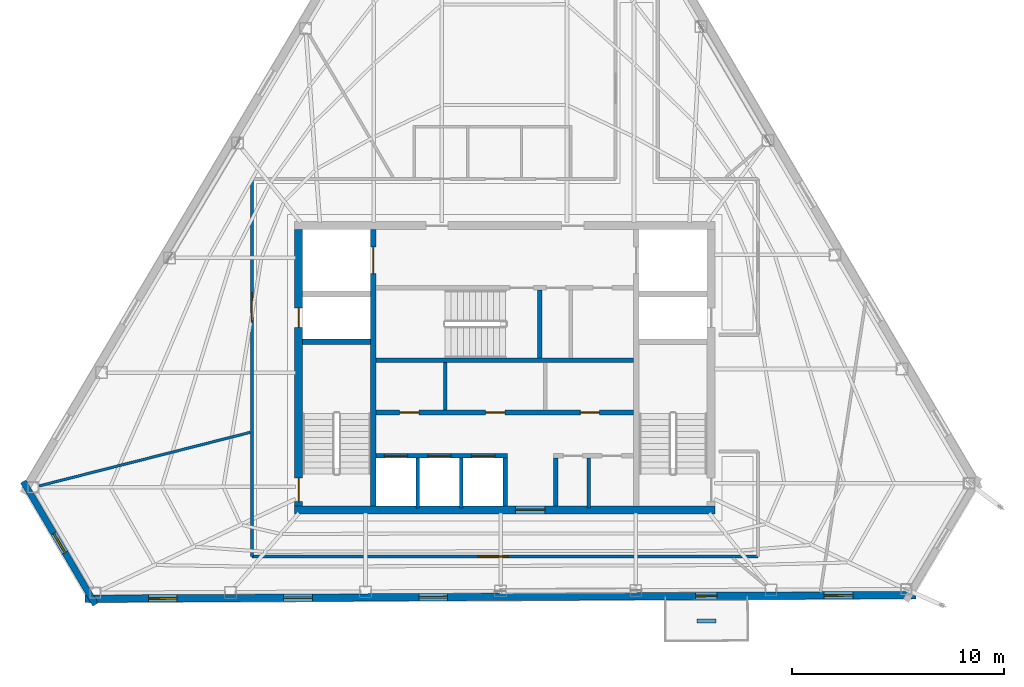
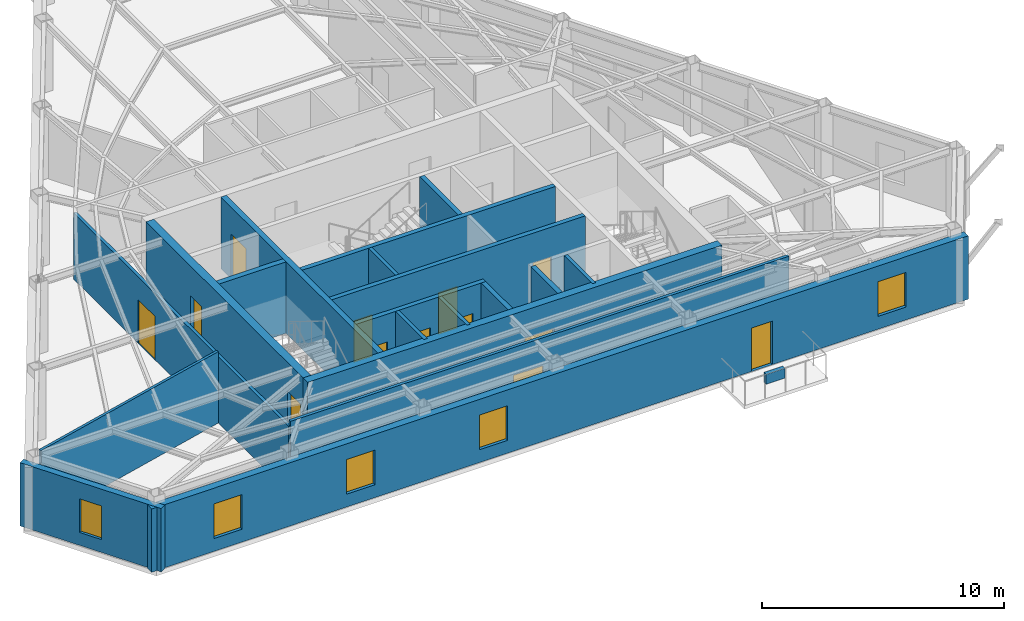
# One storey, part 6 of 9: 20 walls, 13 doors, 5 windows, 18 openings.
"""IFC4 building model written with IfcOpenShell, lengths in metres."""

from ifc_helpers import new_model, si_unit, direction, frame, frame_2d, origin, place, context, subcontext, project, spatial, rectangle, extrude, material, layer, layer_set, type_object, element, fill, save


model = new_model("IFC4")

# Units and contexts
model_context = context("Model", 3, precision=1e-05, world=origin(), true_north=direction((0.0, 1.0)))
body_context = subcontext(model_context, "Body", "Model", "MODEL_VIEW")
ifc_project = project(units=[si_unit("LENGTHUNIT", "METRE"), si_unit("AREAUNIT", "SQUARE_METRE"), si_unit("VOLUMEUNIT", "CUBIC_METRE"), si_unit("PLANEANGLEUNIT", "RADIAN"), si_unit("MASSUNIT", "GRAM", prefix="KILO")], contexts=[model_context])

# Site, building, storey
site_placement = place(None, origin())
site = spatial("IfcSite", under=ifc_project, at=site_placement, CompositionType="ELEMENT")
building_placement = place(site_placement, origin())
building = spatial("IfcBuilding", under=site, at=building_placement, Name="Kavelnor Concourse Tower", CompositionType="ELEMENT")
storey_placement = place(building_placement, frame((0.0, 0.0, 278.0)))
storey = spatial("IfcBuildingStorey", under=building, at=storey_placement, Name="L70", CompositionType="ELEMENT", Elevation=278.0)

# Wall, opening, door
ifc_material_1 = material(Name="Concrete C50/60", Category="concrete")
ifc_layer_1 = layer(ifc_material_1, 0.3798828125, Name="Concrete C50/60")
ifc_layer_set_1 = layer_set([ifc_layer_1], Name="Concrete C50/60")
wall_type_1 = type_object("IfcWallType", Name="WL-CORE-Z4-380", PredefinedType="SOLIDWALL", material=ifc_layer_set_1)
wall_1_placement = place(storey_placement, frame((28.10009765625, 9.409912109375, 0.0), z_axis=(0.0, 0.0, 1.0), x_axis=(1.0, 0.0, 0.0)))
wall_1 = element("IfcWall", 1, at=wall_1_placement, inside=storey, type_object=wall_type_1, Name="L70 Central Core South Shear Wall", PredefinedType="SOLIDWALL", context=body_context, shape_type="SweptSolid", body=[
    extrude(rectangle(XDim=19.7998046875, YDim=0.3798828125, at=frame_2d((9.89990234375, 0.0))), origin(), (0.0, 0.0, 1.0), 3.610107421875),
])
opening_1_placement = place(wall_1_placement, frame((10.39990234375, 0.0, 0.0)))
opening_1 = element("IfcOpeningElement", 2, at=opening_1_placement, cuts=wall_1, Name="Opening SD-140", PredefinedType="OPENING", context=body_context, shape_type="SweptSolid", body=[
    extrude(rectangle(XDim=1.39990234375, YDim=2.199951171875, at=frame_2d((0.699951171875, 1.10009765625))), frame((0.0, 0.199951171875, 0.0), z_axis=(0.0, -1.0, 0.0), x_axis=(1.0, 0.0, 0.0)), (0.0, 0.0, 1.0), 0.39990234375),
])
ifc_material_2 = material(Name="Solid-core hardwood timber", Category="wood")
door_type_1 = type_object("IfcDoorType", Name="DR-SUITE-ENTRY-1400", OperationType="NOTDEFINED", PredefinedType="DOOR", material=ifc_material_2)
door_1_placement = place(opening_1_placement, origin())
door_1 = element("IfcDoor", 3, at=door_1_placement, inside=storey, type_object=door_type_1, Name="L70 Passenger Lift Lobby Entry Door", OperationType="SINGLE_SWING_LEFT", OverallHeight=2.199951171875, OverallWidth=1.39990234375, PredefinedType="DOOR", context=body_context, shape_type="SweptSolid", body=[
    extrude(rectangle(XDim=1.39990234375, YDim=2.199951171875, at=frame_2d((0.699951171875, 1.10009765625))), frame((0.0, 0.02490234375, 0.0), z_axis=(0.0, -1.0, 0.0), x_axis=(1.0, 0.0, 0.0)), (0.0, 0.0, 1.0), 0.050048828125),
])
fill(opening_1, door_1)

# Wall, openings, doors
wall_2_placement = place(storey_placement, frame((28.2900390625, 9.60009765625, 0.0), z_axis=(0.0, 0.0, 1.0), x_axis=(0.0, 1.0, 0.0)))
wall_2 = element("IfcWall", 4, at=wall_2_placement, inside=storey, type_object=wall_type_1, Name="L70 Central Core West Shear Wall", PredefinedType="SOLIDWALL", context=body_context, shape_type="SweptSolid", body=[
    extrude(rectangle(XDim=13.0, YDim=0.3798828125, at=frame_2d((6.5, 0.0))), origin(), (0.0, 0.0, 1.0), 3.610107421875),
])
opening_2_placement = place(wall_2_placement, frame((0.199951171875, 0.0, 0.0)))
opening_2 = element("IfcOpeningElement", 5, at=opening_2_placement, cuts=wall_2, Name="Opening FD-110", PredefinedType="OPENING", context=body_context, shape_type="SweptSolid", body=[
    extrude(rectangle(XDim=1.10009765625, YDim=2.14990234375, at=frame_2d((0.550048828125, 1.074951171875))), frame((0.0, 0.199951171875, 0.0), z_axis=(0.0, -1.0, 0.0), x_axis=(1.0, 0.0, 0.0)), (0.0, 0.0, 1.0), 0.39990234375),
])
opening_3_placement = place(wall_2_placement, frame((8.39990234375, 0.0, 0.0)))
opening_3 = element("IfcOpeningElement", 6, at=opening_3_placement, cuts=wall_2, Name="Opening FD-090", PredefinedType="OPENING", context=body_context, shape_type="SweptSolid", body=[
    extrude(rectangle(XDim=0.89990234375, YDim=2.10009765625, at=frame_2d((0.449951171875, 1.050048828125))), frame((0.0, 0.199951171875, 0.0), z_axis=(0.0, -1.0, 0.0), x_axis=(1.0, 0.0, 0.0)), (0.0, 0.0, 1.0), 0.39990234375),
])
ifc_material_3 = material(Name="Steel Grade 350", Category="steel")
door_type_2 = type_object("IfcDoorType", Name="DR-RISER-FIRE-900", OperationType="NOTDEFINED", PredefinedType="DOOR", material=ifc_material_3)
door_2_placement = place(opening_3_placement, origin())
door_2 = element("IfcDoor", 7, at=door_2_placement, inside=storey, type_object=door_type_2, Name="L70 West Riser Access Door", OperationType="SINGLE_SWING_RIGHT", OverallHeight=2.10009765625, OverallWidth=0.89990234375, PredefinedType="DOOR", context=body_context, shape_type="SweptSolid", body=[
    extrude(rectangle(XDim=0.89990234375, YDim=2.10009765625, at=frame_2d((0.449951171875, 1.050048828125))), frame((0.0, 0.02490234375, 0.0), z_axis=(0.0, -1.0, 0.0), x_axis=(1.0, 0.0, 0.0)), (0.0, 0.0, 1.0), 0.050048828125),
])
fill(opening_3, door_2)
door_type_3 = type_object("IfcDoorType", Name="DR-STAIR-FIRE-1100", OperationType="NOTDEFINED", PredefinedType="DOOR", material=ifc_material_3)
door_3_placement = place(opening_2_placement, origin())
door_3 = element("IfcDoor", 8, at=door_3_placement, inside=storey, type_object=door_type_3, Name="L70 Stair ST1 Fire Door", OperationType="SINGLE_SWING_LEFT", OverallHeight=2.14990234375, OverallWidth=1.10009765625, PredefinedType="DOOR", context=body_context, shape_type="SweptSolid", body=[
    extrude(rectangle(XDim=1.10009765625, YDim=2.14990234375, at=frame_2d((0.550048828125, 1.074951171875))), frame((0.0, 0.02490234375, 0.0), z_axis=(0.0, -1.0, 0.0), x_axis=(1.0, 0.0, 0.0)), (0.0, 0.0, 1.0), 0.050048828125),
])
fill(opening_2, door_3)

# Wall, opening, window
ifc_material_4 = material(Name="Buff ironspot clay face brick masonry", Category="masonry")
ifc_layer_2 = layer(ifc_material_4, 0.300048828125, Name="Buff ironspot clay face brick masonry")
ifc_layer_set_2 = layer_set([ifc_layer_2], Name="Buff ironspot clay face brick masonry")
wall_type_2 = type_object("IfcWallType", Name="WL-EXT-BUFF-BRICK-FOLD-300", PredefinedType="STANDARD", material=ifc_layer_set_2)
wall_3_placement = place(storey_placement, frame((18.724609375, 4.94775390625, 0.0), z_axis=(0.0, 0.0, 1.0), x_axis=(-0.506191170759, 0.862421299972, 0.0)))
wall_3 = element("IfcWall", 9, at=wall_3_placement, inside=storey, type_object=wall_type_2, Name="L70 Exterior Brick Facade Wall E2", PredefinedType="STANDARD", context=body_context, shape_type="SweptSolid", body=[
    extrude(rectangle(XDim=6.720458984375, YDim=0.300048828125, at=frame_2d((3.3603515625, 0.0))), origin(), (0.0, 0.0, 1.0), 3.196044921875),
])
opening_4_placement = place(wall_3_placement, frame((2.835205078125, 0.0, 0.64990234375)))
opening_4 = element("IfcOpeningElement", 10, at=opening_4_placement, cuts=wall_3, Name="Opening W-06", PredefinedType="OPENING", context=body_context, shape_type="SweptSolid", body=[
    extrude(rectangle(XDim=1.050048828125, YDim=1.699951171875, at=frame_2d((0.52490234375, 0.85009765625))), frame((0.0, 0.16015625, 0.0), z_axis=(0.0, -1.0, 0.0), x_axis=(1.0, 0.0, 0.0)), (0.0, 0.0, 1.0), 0.320068359375),
])
ifc_material_5 = material(Name="Double low-E argon insulated glazing", Category="glass")
window_type_1 = type_object("IfcWindowType", Name="WIN-FOLD-1050", PartitioningType="SINGLE_PANEL", PredefinedType="WINDOW", material=ifc_material_5)
window_1_placement = place(opening_4_placement, origin())
window_1 = element("IfcWindow", 11, at=window_1_placement, inside=storey, type_object=window_type_1, Name="L70 Chamfer-Fold Facet Window C1", OverallHeight=1.699951171875, OverallWidth=1.050048828125, PartitioningType="SINGLE_PANEL", PredefinedType="WINDOW", context=body_context, shape_type="SweptSolid", body=[
    extrude(rectangle(XDim=1.050048828125, YDim=1.699951171875, at=frame_2d((0.52490234375, 0.85009765625))), frame((0.0, 0.030029296875, 0.0), z_axis=(0.0, -1.0, 0.0), x_axis=(1.0, 0.0, 0.0)), (0.0, 0.0, 1.0), 0.06005859375),
])
fill(opening_4, window_1)

# Wall, openings, door, windows
ifc_material_6 = material(Name="Red-ochre clay face brick masonry", Category="masonry")
ifc_layer_3 = layer(ifc_material_6, 0.35009765625, Name="Red-ochre clay face brick masonry")
ifc_layer_set_3 = layer_set([ifc_layer_3], Name="Red-ochre clay face brick masonry")
wall_type_3 = type_object("IfcWallType", Name="WL-EXT-RED-BRICK-PIER-350", PredefinedType="STANDARD", material=ifc_layer_set_3)
wall_4_placement = place(storey_placement, frame((57.361083984375, 5.396240234375, 0.0), z_axis=(0.0, 0.0, 1.0), x_axis=(-0.99999021081, -0.004424735446, 0.0)))
wall_4 = element("IfcWall", 12, at=wall_4_placement, inside=storey, type_object=wall_type_3, Name="L70 Exterior Brick Facade Wall E3", PredefinedType="STANDARD", context=body_context, shape_type="SweptSolid", body=[
    extrude(rectangle(XDim=39.1201171875, YDim=0.35009765625, at=frame_2d((19.56005859375, 0.0))), origin(), (0.0, 0.0, 1.0), 3.196044921875),
])
opening_5_placement = place(wall_4_placement, frame((9.380126953125, 0.0, 0.0)))
opening_5 = element("IfcOpeningElement", 13, at=opening_5_placement, cuts=wall_4, Name="Opening BD-100", PredefinedType="OPENING", context=body_context, shape_type="SweptSolid", body=[
    extrude(rectangle(XDim=1.0, YDim=2.199951171875, at=frame_2d((0.5, 1.10009765625))), frame((0.0, 0.18505859375, 0.0), z_axis=(0.0, -1.0, 0.0), x_axis=(1.0, 0.0, 0.0)), (0.0, 0.0, 1.0), 0.3701171875),
])
opening_6_placement = place(wall_4_placement, frame((34.7880859375, 0.0, 0.64990234375)))
opening_6 = element("IfcOpeningElement", 14, at=opening_6_placement, cuts=wall_4, Name="Opening W-04", PredefinedType="OPENING", context=body_context, shape_type="SweptSolid", body=[
    extrude(rectangle(XDim=1.35009765625, YDim=1.75, at=frame_2d((0.675048828125, 0.875))), frame((0.0, 0.18505859375, 0.0), z_axis=(0.0, -1.0, 0.0), x_axis=(1.0, 0.0, 0.0)), (0.0, 0.0, 1.0), 0.3701171875),
])
opening_7_placement = place(wall_4_placement, frame((28.426025390625, 0.0, 0.64990234375)))
opening_7 = element("IfcOpeningElement", 15, at=opening_7_placement, cuts=wall_4, Name="Opening W-04", PredefinedType="OPENING", context=body_context, shape_type="SweptSolid", body=[
    extrude(rectangle(XDim=1.35009765625, YDim=1.75, at=frame_2d((0.675048828125, 0.875))), frame((0.0, 0.18505859375, 0.0), z_axis=(0.0, -1.0, 0.0), x_axis=(1.0, 0.0, 0.0)), (0.0, 0.0, 1.0), 0.3701171875),
])
opening_8_placement = place(wall_4_placement, frame((22.06396484375, 0.0, 0.64990234375)))
opening_8 = element("IfcOpeningElement", 16, at=opening_8_placement, cuts=wall_4, Name="Opening W-04", PredefinedType="OPENING", context=body_context, shape_type="SweptSolid", body=[
    extrude(rectangle(XDim=1.35009765625, YDim=1.75, at=frame_2d((0.675048828125, 0.875))), frame((0.0, 0.18505859375, 0.0), z_axis=(0.0, -1.0, 0.0), x_axis=(1.0, 0.0, 0.0)), (0.0, 0.0, 1.0), 0.3701171875),
])
opening_9_placement = place(wall_4_placement, frame((2.97802734375, 0.0, 0.64990234375)))
opening_9 = element("IfcOpeningElement", 17, at=opening_9_placement, cuts=wall_4, Name="Opening W-04", PredefinedType="OPENING", context=body_context, shape_type="SweptSolid", body=[
    extrude(rectangle(XDim=1.35009765625, YDim=1.75, at=frame_2d((0.675048828125, 0.875))), frame((0.0, 0.18505859375, 0.0), z_axis=(0.0, -1.0, 0.0), x_axis=(1.0, 0.0, 0.0)), (0.0, 0.0, 1.0), 0.3701171875),
])
ifc_material_7 = material(Name="Anodised aluminium 6063-T6", Category="aluminium")
door_type_4 = type_object("IfcDoorType", Name="DR-BALCONY-EXT-1000", OperationType="NOTDEFINED", PredefinedType="DOOR", material=ifc_material_7)
door_4_placement = place(opening_5_placement, origin())
door_4 = element("IfcDoor", 18, at=door_4_placement, inside=storey, type_object=door_type_4, Name="L70 Tree Balcony 1 Glazed Door", OperationType="SINGLE_SWING_LEFT", OverallHeight=2.199951171875, OverallWidth=1.0, PredefinedType="DOOR", context=body_context, shape_type="SweptSolid", body=[
    extrude(rectangle(XDim=1.0, YDim=2.199951171875, at=frame_2d((0.5, 1.10009765625))), frame((0.0, 0.02490234375, 0.0), z_axis=(0.0, -1.0, 0.0), x_axis=(1.0, 0.0, 0.0)), (0.0, 0.0, 1.0), 0.050048828125),
])
fill(opening_5, door_4)
window_type_2 = type_object("IfcWindowType", Name="WIN-PIER-Z4-1350", PartitioningType="SINGLE_PANEL", PredefinedType="WINDOW", material=ifc_material_5)
window_2_placement = place(opening_6_placement, origin())
window_2 = element("IfcWindow", 19, at=window_2_placement, inside=storey, type_object=window_type_2, Name="L70 Deep-Set Brick Pier Window F1-B0", OverallHeight=1.75, OverallWidth=1.35009765625, PartitioningType="SINGLE_PANEL", PredefinedType="WINDOW", context=body_context, shape_type="SweptSolid", body=[
    extrude(rectangle(XDim=1.35009765625, YDim=1.75, at=frame_2d((0.675048828125, 0.875))), frame((0.0, 0.030029296875, 0.0), z_axis=(0.0, -1.0, 0.0), x_axis=(1.0, 0.0, 0.0)), (0.0, 0.0, 1.0), 0.06005859375),
])
fill(opening_6, window_2)
window_3_placement = place(opening_7_placement, origin())
window_3 = element("IfcWindow", 20, at=window_3_placement, inside=storey, type_object=window_type_2, Name="L70 Deep-Set Brick Pier Window F1-B1", OverallHeight=1.75, OverallWidth=1.35009765625, PartitioningType="SINGLE_PANEL", PredefinedType="WINDOW", context=body_context, shape_type="SweptSolid", body=[
    extrude(rectangle(XDim=1.35009765625, YDim=1.75, at=frame_2d((0.675048828125, 0.875))), frame((0.0, 0.030029296875, 0.0), z_axis=(0.0, -1.0, 0.0), x_axis=(1.0, 0.0, 0.0)), (0.0, 0.0, 1.0), 0.06005859375),
])
fill(opening_7, window_3)
window_4_placement = place(opening_8_placement, origin())
window_4 = element("IfcWindow", 21, at=window_4_placement, inside=storey, type_object=window_type_2, Name="L70 Deep-Set Brick Pier Window F1-B2", OverallHeight=1.75, OverallWidth=1.35009765625, PartitioningType="SINGLE_PANEL", PredefinedType="WINDOW", context=body_context, shape_type="SweptSolid", body=[
    extrude(rectangle(XDim=1.35009765625, YDim=1.75, at=frame_2d((0.675048828125, 0.875))), frame((0.0, 0.030029296875, 0.0), z_axis=(0.0, -1.0, 0.0), x_axis=(1.0, 0.0, 0.0)), (0.0, 0.0, 1.0), 0.06005859375),
])
fill(opening_8, window_4)
window_5_placement = place(opening_9_placement, origin())
window_5 = element("IfcWindow", 22, at=window_5_placement, inside=storey, type_object=window_type_2, Name="L70 Deep-Set Brick Pier Window F1-B5", OverallHeight=1.75, OverallWidth=1.35009765625, PartitioningType="SINGLE_PANEL", PredefinedType="WINDOW", context=body_context, shape_type="SweptSolid", body=[
    extrude(rectangle(XDim=1.35009765625, YDim=1.75, at=frame_2d((0.675048828125, 0.875))), frame((0.0, 0.030029296875, 0.0), z_axis=(0.0, -1.0, 0.0), x_axis=(1.0, 0.0, 0.0)), (0.0, 0.0, 1.0), 0.06005859375),
])
fill(opening_9, window_5)

# Wall, opening, door
ifc_material_8 = material(Name="Gypsum plasterboard on light-gauge steel studs", Category="steel")
ifc_layer_4 = layer(ifc_material_8, 0.14501953125, Name="Gypsum plasterboard on light-gauge steel studs")
ifc_layer_set_4 = layer_set([ifc_layer_4], Name="Gypsum plasterboard on light-gauge steel studs")
wall_type_4 = type_object("IfcWallType", Name="WL-INT-CORR-145", PredefinedType="PARTITIONING", material=ifc_layer_set_4)
wall_5_placement = place(storey_placement, frame((49.909912109375, 7.2099609375, 0.0), z_axis=(0.0, 0.0, 1.0), x_axis=(-1.0, 0.0, 0.0)))
wall_5 = element("IfcWall", 23, at=wall_5_placement, inside=storey, type_object=wall_type_4, Name="L70 Corridor Wall WL-L70-CR-09", PredefinedType="PARTITIONING", context=body_context, shape_type="SweptSolid", body=[
    extrude(rectangle(XDim=23.81982421875, YDim=0.14501953125, at=frame_2d((11.909912109375, 0.0))), origin(), (0.0, 0.0, 1.0), 3.610107421875),
])
opening_10_placement = place(wall_5_placement, frame((11.76220703125, 0.0, 0.0)))
opening_10 = element("IfcOpeningElement", 24, at=opening_10_placement, cuts=wall_5, Name="Opening SD-140", PredefinedType="OPENING", context=body_context, shape_type="SweptSolid", body=[
    extrude(rectangle(XDim=1.39990234375, YDim=2.199951171875, at=frame_2d((0.699951171875, 1.10009765625))), frame((0.0, 0.08251953125, 0.0), z_axis=(0.0, -1.0, 0.0), x_axis=(1.0, 0.0, 0.0)), (0.0, 0.0, 1.0), 0.1650390625),
])
door_5_placement = place(opening_10_placement, origin())
door_5 = element("IfcDoor", 25, at=door_5_placement, inside=storey, type_object=door_type_1, Name="L70 Architectural Design Studio 03 Door", OperationType="SINGLE_SWING_RIGHT", OverallHeight=2.199951171875, OverallWidth=1.39990234375, PredefinedType="DOOR", context=body_context, shape_type="SweptSolid", body=[
    extrude(rectangle(XDim=1.39990234375, YDim=2.199951171875, at=frame_2d((0.699951171875, 1.10009765625))), frame((0.0, 0.02490234375, 0.0), z_axis=(0.0, -1.0, 0.0), x_axis=(1.0, 0.0, 0.0)), (0.0, 0.0, 1.0), 0.050048828125),
])
fill(opening_10, door_5)

wall_6_placement = place(storey_placement, frame((26.090087890625, 7.2099609375, 0.0), z_axis=(0.0, 0.0, 1.0), x_axis=(0.0, 1.0, 0.0)))
wall_6 = element("IfcWall", 26, at=wall_6_placement, inside=storey, type_object=wall_type_4, Name="L70 Corridor Wall WL-L70-CR-10", PredefinedType="PARTITIONING", context=body_context, shape_type="SweptSolid", body=[
    extrude(rectangle(XDim=17.780029296875, YDim=0.14501953125, at=frame_2d((8.89013671875, 0.0))), origin(), (0.0, 0.0, 1.0), 3.34912109375),
])
opening_11_placement = place(wall_6_placement, frame((11.028076171875, 0.0, 0.0)))
opening_11 = element("IfcOpeningElement", 27, at=opening_11_placement, cuts=wall_6, Name="Opening SD-140", PredefinedType="OPENING", context=body_context, shape_type="SweptSolid", body=[
    extrude(rectangle(XDim=1.39990234375, YDim=2.199951171875, at=frame_2d((0.699951171875, 1.10009765625))), frame((0.0, 0.08251953125, 0.0), z_axis=(0.0, -1.0, 0.0), x_axis=(1.0, 0.0, 0.0)), (0.0, 0.0, 1.0), 0.1650390625),
])
door_6_placement = place(opening_11_placement, origin())
door_6 = element("IfcDoor", 28, at=door_6_placement, inside=storey, type_object=door_type_1, Name="L70 Workplace Open Office 02 Door", OperationType="SINGLE_SWING_LEFT", OverallHeight=2.199951171875, OverallWidth=1.39990234375, PredefinedType="DOOR", context=body_context, shape_type="SweptSolid", body=[
    extrude(rectangle(XDim=1.39990234375, YDim=2.199951171875, at=frame_2d((0.699951171875, 1.10009765625))), frame((0.0, 0.02490234375, 0.0), z_axis=(0.0, -1.0, 0.0), x_axis=(1.0, 0.0, 0.0)), (0.0, 0.0, 1.0), 0.050048828125),
])
fill(opening_11, door_6)

# Walls
ifc_layer_5 = layer(ifc_material_8, 0.1650390625, Name="Gypsum plasterboard on light-gauge steel studs")
ifc_layer_set_5 = layer_set([ifc_layer_5], Name="Gypsum plasterboard on light-gauge steel studs")
wall_type_5 = type_object("IfcWallType", Name="WL-INT-FIRE-165", PredefinedType="PARTITIONING", material=ifc_layer_set_5)
for number, where, z_axis, x_axis, name in (
    (29, (33.89990234375, 9.489990234375, 0.0), (0.0, 0.0, 1.0), (0.0, 1.0, 0.0), "L70 Lift Shaft Divider LP7"),
    (30, (35.949951171875, 9.489990234375, 0.0), (0.0, 0.0, 1.0), (0.0, 1.0, 0.0), "L70 Lift Shaft Divider LP8"),
):
    element("IfcWall", number, at=place(storey_placement, frame(where, z_axis=z_axis, x_axis=x_axis)), inside=storey, type_object=wall_type_5, Name=name, PredefinedType="PARTITIONING", context=body_context, shape_type="SweptSolid", body=[
        extrude(rectangle(XDim=2.35009765625, YDim=0.1650390625, at=frame_2d((1.175048828125, 0.0))), origin(), (0.0, 0.0, 1.0), 3.610107421875),
    ])
wall_7_placement = place(storey_placement, frame((35.199951171875, 14.10009765625, 0.0), z_axis=(0.0, 0.0, 1.0), x_axis=(0.0, 1.0, 0.0)))
element("IfcWall", 31, at=wall_7_placement, inside=storey, type_object=wall_type_5, Name="L70 Reclaimed Core Partition A", PredefinedType="PARTITIONING", context=body_context, shape_type="SweptSolid", body=[
    extrude(rectangle(XDim=2.239990234375, YDim=0.1650390625, at=frame_2d((1.1201171875, 0.0))), origin(), (0.0, 0.0, 1.0), 3.610107421875),
])
wall_8_placement = place(storey_placement, frame((41.949951171875, 9.489990234375, 0.0), z_axis=(0.0, 0.0, 1.0), x_axis=(0.0, 1.0, 0.0)))
element("IfcWall", 32, at=wall_8_placement, inside=storey, type_object=wall_type_5, Name="L70 Core WC Partition", PredefinedType="PARTITIONING", context=body_context, shape_type="SweptSolid", body=[
    extrude(rectangle(XDim=2.35009765625, YDim=0.1650390625, at=frame_2d((1.175048828125, 0.0))), origin(), (0.0, 0.0, 1.0), 3.610107421875),
])
ifc_layer_6 = layer(ifc_material_8, 0.125, Name="Gypsum plasterboard on light-gauge steel studs")
ifc_layer_set_6 = layer_set([ifc_layer_6], Name="Gypsum plasterboard on light-gauge steel studs")
wall_type_6 = type_object("IfcWallType", Name="WL-INT-SUITE-125", PredefinedType="PARTITIONING", material=ifc_layer_set_6)
wall_9_placement = place(storey_placement, frame((26.009521484375, 13.0556640625, 0.0), z_axis=(0.0, 0.0, 1.0), x_axis=(-0.969251137752, -0.24607363119, 0.0)))
element("IfcWall", 33, at=wall_9_placement, inside=storey, type_object=wall_type_6, Name="L70 Radial Suite Partition 03", PredefinedType="PARTITIONING", context=body_context, shape_type="SweptSolid", body=[
    extrude(rectangle(XDim=10.2568359375, YDim=0.125, at=frame_2d((5.12841796875, 0.0))), origin(), (0.0, 0.0, 1.0), 3.610107421875),
])
ifc_material_9 = material(Name="Architectural precast planter concrete C40/50", Category="concrete")
ifc_layer_7 = layer(ifc_material_9, 0.18994140625, Name="Architectural precast planter concrete C40/50")
ifc_layer_set_7 = layer_set([ifc_layer_7], Name="Architectural precast planter concrete C40/50")
wall_type_7 = type_object("IfcWallType", Name="WL-PLANTER-KERB-190", PredefinedType="USERDEFINED", material=ifc_layer_set_7)
wall_10_placement = place(storey_placement, frame((47.03662109375, 4.16552734375, 0.0), z_axis=(0.0, 0.0, 1.0), x_axis=(0.999990579083, 0.004340707885, 0.0)))
element("IfcWall", 34, at=wall_10_placement, inside=storey, type_object=wall_type_7, Name="L70 Tree Balcony 1 Tree Planter Kerb", ObjectType="PLANTER", PredefinedType="USERDEFINED", context=body_context, shape_type="SweptSolid", body=[
    extrude(rectangle(XDim=0.89990234375, YDim=0.18994140625, at=frame_2d((0.449951171875, 0.0))), origin(), (0.0, 0.0, 1.0), 0.5),
])
ifc_layer_8 = layer(ifc_material_1, 0.219970703125, Name="Concrete C50/60")
ifc_layer_set_8 = layer_set([ifc_layer_8], Name="Concrete C50/60")
wall_type_8 = type_object("IfcWallType", Name="WL-SHAFT-220", PredefinedType="SOLIDWALL", material=ifc_layer_set_8)
wall_11_placement = place(storey_placement, frame((31.93994140625, 16.449951171875, 0.0), z_axis=(0.0, 0.0, 1.0), x_axis=(1.0, 0.0, 0.0)))
element("IfcWall", 35, at=wall_11_placement, inside=storey, type_object=wall_type_8, Name="L70 Stair ST3 South Core Wall", PredefinedType="SOLIDWALL", context=body_context, shape_type="SweptSolid", body=[
    extrude(rectangle(XDim=12.1201171875, YDim=0.219970703125, at=frame_2d((6.06005859375, 0.0))), origin(), (0.0, 0.0, 1.0), 3.610107421875),
])
wall_12_placement = place(storey_placement, frame((39.64990234375, 16.56005859375, 0.0), z_axis=(0.0, 0.0, 1.0), x_axis=(0.0, 1.0, 0.0)))
element("IfcWall", 36, at=wall_12_placement, inside=storey, type_object=wall_type_8, Name="L70 Stair ST3 East Core Wall", PredefinedType="SOLIDWALL", context=body_context, shape_type="SweptSolid", body=[
    extrude(rectangle(XDim=3.199951171875, YDim=0.219970703125, at=frame_2d((1.60009765625, 0.0))), origin(), (0.0, 0.0, 1.0), 3.610107421875),
])

# Wall, openings, doors
wall_13_placement = place(storey_placement, frame((31.93994140625, 13.989990234375, 0.0), z_axis=(0.0, 0.0, 1.0), x_axis=(1.0, 0.0, 0.0)))
wall_13 = element("IfcWall", 37, at=wall_13_placement, inside=storey, type_object=wall_type_8, Name="L70 North Lift Row Shaft Wall", PredefinedType="SOLIDWALL", context=body_context, shape_type="SweptSolid", body=[
    extrude(rectangle(XDim=12.1201171875, YDim=0.219970703125, at=frame_2d((6.06005859375, 0.0))), origin(), (0.0, 0.0, 1.0), 3.610107421875),
])
opening_12_placement = place(wall_13_placement, frame((1.110107421875, 0.0, 0.0)))
opening_12 = element("IfcOpeningElement", 38, at=opening_12_placement, cuts=wall_13, Name="Opening FD-090", PredefinedType="OPENING", context=body_context, shape_type="SweptSolid", body=[
    extrude(rectangle(XDim=0.89990234375, YDim=2.10009765625, at=frame_2d((0.449951171875, 1.050048828125))), frame((0.0, 0.1201171875, 0.0), z_axis=(0.0, -1.0, 0.0), x_axis=(1.0, 0.0, 0.0)), (0.0, 0.0, 1.0), 0.239990234375),
])
opening_13_placement = place(wall_13_placement, frame((5.159912109375, 0.0, 0.0)))
opening_13 = element("IfcOpeningElement", 39, at=opening_13_placement, cuts=wall_13, Name="Opening FD-090", PredefinedType="OPENING", context=body_context, shape_type="SweptSolid", body=[
    extrude(rectangle(XDim=0.89990234375, YDim=2.10009765625, at=frame_2d((0.449951171875, 1.050048828125))), frame((0.0, 0.1201171875, 0.0), z_axis=(0.0, -1.0, 0.0), x_axis=(1.0, 0.0, 0.0)), (0.0, 0.0, 1.0), 0.239990234375),
])
opening_14_placement = place(wall_13_placement, frame((9.610107421875, 0.0, 0.0)))
opening_14 = element("IfcOpeningElement", 40, at=opening_14_placement, cuts=wall_13, Name="Opening FD-090", PredefinedType="OPENING", context=body_context, shape_type="SweptSolid", body=[
    extrude(rectangle(XDim=0.89990234375, YDim=2.10009765625, at=frame_2d((0.449951171875, 1.050048828125))), frame((0.0, 0.1201171875, 0.0), z_axis=(0.0, -1.0, 0.0), x_axis=(1.0, 0.0, 0.0)), (0.0, 0.0, 1.0), 0.239990234375),
])
door_7_placement = place(opening_12_placement, origin())
door_7 = element("IfcDoor", 41, at=door_7_placement, inside=storey, type_object=door_type_2, Name="L70 Reclaimed Core Door A", OperationType="SINGLE_SWING_RIGHT", OverallHeight=2.10009765625, OverallWidth=0.89990234375, PredefinedType="DOOR", context=body_context, shape_type="SweptSolid", body=[
    extrude(rectangle(XDim=0.89990234375, YDim=2.10009765625, at=frame_2d((0.449951171875, 1.050048828125))), frame((0.0, 0.02490234375, 0.0), z_axis=(0.0, -1.0, 0.0), x_axis=(1.0, 0.0, 0.0)), (0.0, 0.0, 1.0), 0.050048828125),
])
fill(opening_12, door_7)
door_8_placement = place(opening_13_placement, origin())
door_8 = element("IfcDoor", 42, at=door_8_placement, inside=storey, type_object=door_type_2, Name="L70 Reclaimed Core Door B", OperationType="SINGLE_SWING_LEFT", OverallHeight=2.10009765625, OverallWidth=0.89990234375, PredefinedType="DOOR", context=body_context, shape_type="SweptSolid", body=[
    extrude(rectangle(XDim=0.89990234375, YDim=2.10009765625, at=frame_2d((0.449951171875, 1.050048828125))), frame((0.0, 0.02490234375, 0.0), z_axis=(0.0, -1.0, 0.0), x_axis=(1.0, 0.0, 0.0)), (0.0, 0.0, 1.0), 0.050048828125),
])
fill(opening_13, door_8)
door_9_placement = place(opening_14_placement, origin())
door_9 = element("IfcDoor", 43, at=door_9_placement, inside=storey, type_object=door_type_2, Name="L70 Reclaimed Core Door C", OperationType="SINGLE_SWING_RIGHT", OverallHeight=2.10009765625, OverallWidth=0.89990234375, PredefinedType="DOOR", context=body_context, shape_type="SweptSolid", body=[
    extrude(rectangle(XDim=0.89990234375, YDim=2.10009765625, at=frame_2d((0.449951171875, 1.050048828125))), frame((0.0, 0.02490234375, 0.0), z_axis=(0.0, -1.0, 0.0), x_axis=(1.0, 0.0, 0.0)), (0.0, 0.0, 1.0), 0.050048828125),
])
fill(opening_14, door_9)

wall_14_placement = place(storey_placement, frame((31.93994140625, 11.949951171875, 0.0), z_axis=(0.0, 0.0, 1.0), x_axis=(1.0, 0.0, 0.0)))
wall_14 = element("IfcWall", 44, at=wall_14_placement, inside=storey, type_object=wall_type_8, Name="L70 High-Rise Lift Bank North Wall", PredefinedType="SOLIDWALL", context=body_context, shape_type="SweptSolid", body=[
    extrude(rectangle(XDim=6.18994140625, YDim=0.219970703125, at=frame_2d((3.094970703125, 0.0))), origin(), (0.0, 0.0, 1.0), 3.610107421875),
])
opening_15_placement = place(wall_14_placement, frame((0.385009765625, 0.0, 0.0)))
opening_15 = element("IfcOpeningElement", 45, at=opening_15_placement, cuts=wall_14, Name="Opening LD-110", PredefinedType="OPENING", context=body_context, shape_type="SweptSolid", body=[
    extrude(rectangle(XDim=1.10009765625, YDim=2.199951171875, at=frame_2d((0.550048828125, 1.10009765625))), frame((0.0, 0.1201171875, 0.0), z_axis=(0.0, -1.0, 0.0), x_axis=(1.0, 0.0, 0.0)), (0.0, 0.0, 1.0), 0.239990234375),
])
opening_16_placement = place(wall_14_placement, frame((2.43505859375, 0.0, 0.0)))
opening_16 = element("IfcOpeningElement", 46, at=opening_16_placement, cuts=wall_14, Name="Opening LD-110", PredefinedType="OPENING", context=body_context, shape_type="SweptSolid", body=[
    extrude(rectangle(XDim=1.10009765625, YDim=2.199951171875, at=frame_2d((0.550048828125, 1.10009765625))), frame((0.0, 0.1201171875, 0.0), z_axis=(0.0, -1.0, 0.0), x_axis=(1.0, 0.0, 0.0)), (0.0, 0.0, 1.0), 0.239990234375),
])
opening_17_placement = place(wall_14_placement, frame((4.485107421875, 0.0, 0.0)))
opening_17 = element("IfcOpeningElement", 47, at=opening_17_placement, cuts=wall_14, Name="Opening LD-110", PredefinedType="OPENING", context=body_context, shape_type="SweptSolid", body=[
    extrude(rectangle(XDim=1.10009765625, YDim=2.199951171875, at=frame_2d((0.550048828125, 1.10009765625))), frame((0.0, 0.1201171875, 0.0), z_axis=(0.0, -1.0, 0.0), x_axis=(1.0, 0.0, 0.0)), (0.0, 0.0, 1.0), 0.239990234375),
])
door_type_5 = type_object("IfcDoorType", Name="DR-LIFT-SLIDING-1100", OperationType="NOTDEFINED", PredefinedType="DOOR", material=ifc_material_3)
door_10_placement = place(opening_15_placement, origin())
door_10 = element("IfcDoor", 48, at=door_10_placement, inside=storey, type_object=door_type_5, Name="L70 Lift LP7 Landing Door", OperationType="DOUBLE_DOOR_SLIDING", OverallHeight=2.199951171875, OverallWidth=1.10009765625, PredefinedType="DOOR", context=body_context, shape_type="SweptSolid", body=[
    extrude(rectangle(XDim=1.10009765625, YDim=2.199951171875, at=frame_2d((0.550048828125, 1.10009765625))), frame((0.0, 0.02490234375, 0.0), z_axis=(0.0, -1.0, 0.0), x_axis=(1.0, 0.0, 0.0)), (0.0, 0.0, 1.0), 0.050048828125),
])
fill(opening_15, door_10)
door_11_placement = place(opening_16_placement, origin())
door_11 = element("IfcDoor", 49, at=door_11_placement, inside=storey, type_object=door_type_5, Name="L70 Lift LP8 Landing Door", OperationType="DOUBLE_DOOR_SLIDING", OverallHeight=2.199951171875, OverallWidth=1.10009765625, PredefinedType="DOOR", context=body_context, shape_type="SweptSolid", body=[
    extrude(rectangle(XDim=1.10009765625, YDim=2.199951171875, at=frame_2d((0.550048828125, 1.10009765625))), frame((0.0, 0.02490234375, 0.0), z_axis=(0.0, -1.0, 0.0), x_axis=(1.0, 0.0, 0.0)), (0.0, 0.0, 1.0), 0.050048828125),
])
fill(opening_16, door_11)
door_12_placement = place(opening_17_placement, origin())
door_12 = element("IfcDoor", 50, at=door_12_placement, inside=storey, type_object=door_type_5, Name="L70 Lift LP9 Landing Door", OperationType="DOUBLE_DOOR_SLIDING", OverallHeight=2.199951171875, OverallWidth=1.10009765625, PredefinedType="DOOR", context=body_context, shape_type="SweptSolid", body=[
    extrude(rectangle(XDim=1.10009765625, YDim=2.199951171875, at=frame_2d((0.550048828125, 1.10009765625))), frame((0.0, 0.02490234375, 0.0), z_axis=(0.0, -1.0, 0.0), x_axis=(1.0, 0.0, 0.0)), (0.0, 0.0, 1.0), 0.050048828125),
])
fill(opening_17, door_12)

# Walls
for number, where, z_axis, x_axis, name in (
    (51, (38.02001953125, 9.60009765625, 0.0), (0.0, 0.0, 1.0), (0.0, 1.0, 0.0), "L70 Lift Lobby Throat West Wall"),
    (52, (40.389892578125, 9.60009765625, 0.0), (0.0, 0.0, 1.0), (0.0, 1.0, 0.0), "L70 Lift Lobby Throat East Wall"),
):
    element("IfcWall", number, at=place(storey_placement, frame(where, z_axis=z_axis, x_axis=x_axis)), inside=storey, type_object=wall_type_8, Name=name, PredefinedType="SOLIDWALL", context=body_context, shape_type="SweptSolid", body=[
        extrude(rectangle(XDim=2.239990234375, YDim=0.219970703125, at=frame_2d((1.1201171875, 0.0))), origin(), (0.0, 0.0, 1.0), 3.610107421875),
    ])

# Wall, opening, door
ifc_layer_9 = layer(ifc_material_1, 0.260009765625, Name="Concrete C50/60")
ifc_layer_set_9 = layer_set([ifc_layer_9], Name="Concrete C50/60")
wall_type_9 = type_object("IfcWallType", Name="WL-SHAFT-260", PredefinedType="SHEAR", material=ifc_layer_set_9)
wall_15_placement = place(storey_placement, frame((31.81005859375, 9.60009765625, 0.0), z_axis=(0.0, 0.0, 1.0), x_axis=(0.0, 1.0, 0.0)))
wall_15 = element("IfcWall", 53, at=wall_15_placement, inside=storey, type_object=wall_type_9, Name="L70 Core West Wing Shear Wall", PredefinedType="SHEAR", context=body_context, shape_type="SweptSolid", body=[
    extrude(rectangle(XDim=13.0, YDim=0.260009765625, at=frame_2d((6.5, 0.0))), origin(), (0.0, 0.0, 1.0), 3.610107421875),
])
opening_18_placement = place(wall_15_placement, frame((10.925048828125, 0.0, 0.0)))
opening_18 = element("IfcOpeningElement", 54, at=opening_18_placement, cuts=wall_15, Name="Opening LD-125", PredefinedType="OPENING", context=body_context, shape_type="SweptSolid", body=[
    extrude(rectangle(XDim=1.25, YDim=2.25, at=frame_2d((0.625, 1.125))), frame((0.0, 0.14013671875, 0.0), z_axis=(0.0, -1.0, 0.0), x_axis=(1.0, 0.0, 0.0)), (0.0, 0.0, 1.0), 0.280029296875),
])
door_type_6 = type_object("IfcDoorType", Name="DR-LIFT-SLIDING-1250", OperationType="NOTDEFINED", PredefinedType="DOOR", material=ifc_material_3)
door_13_placement = place(opening_18_placement, origin())
door_13 = element("IfcDoor", 55, at=door_13_placement, inside=storey, type_object=door_type_6, Name="L70 Emergency Lift FL1 Landing Door", OperationType="DOUBLE_DOOR_SLIDING", OverallHeight=2.25, OverallWidth=1.25, PredefinedType="DOOR", context=body_context, shape_type="SweptSolid", body=[
    extrude(rectangle(XDim=1.25, YDim=2.25, at=frame_2d((0.625, 1.125))), frame((0.0, 0.02490234375, 0.0), z_axis=(0.0, -1.0, 0.0), x_axis=(1.0, 0.0, 0.0)), (0.0, 0.0, 1.0), 0.050048828125),
])
fill(opening_18, door_13)

# Wall
wall_16_placement = place(storey_placement, frame((28.47998046875, 17.330078125, 0.0), z_axis=(0.0, 0.0, 1.0), x_axis=(1.0, 0.0, 0.0)))
element("IfcWall", 56, at=wall_16_placement, inside=storey, type_object=wall_type_9, Name="L70 Stair ST1 North Shaft Wall", PredefinedType="SHEAR", context=body_context, shape_type="SweptSolid", body=[
    extrude(rectangle(XDim=3.199951171875, YDim=0.260009765625, at=frame_2d((1.60009765625, 0.0))), origin(), (0.0, 0.0, 1.0), 3.610107421875),
])

save(model, "model.ifc")
